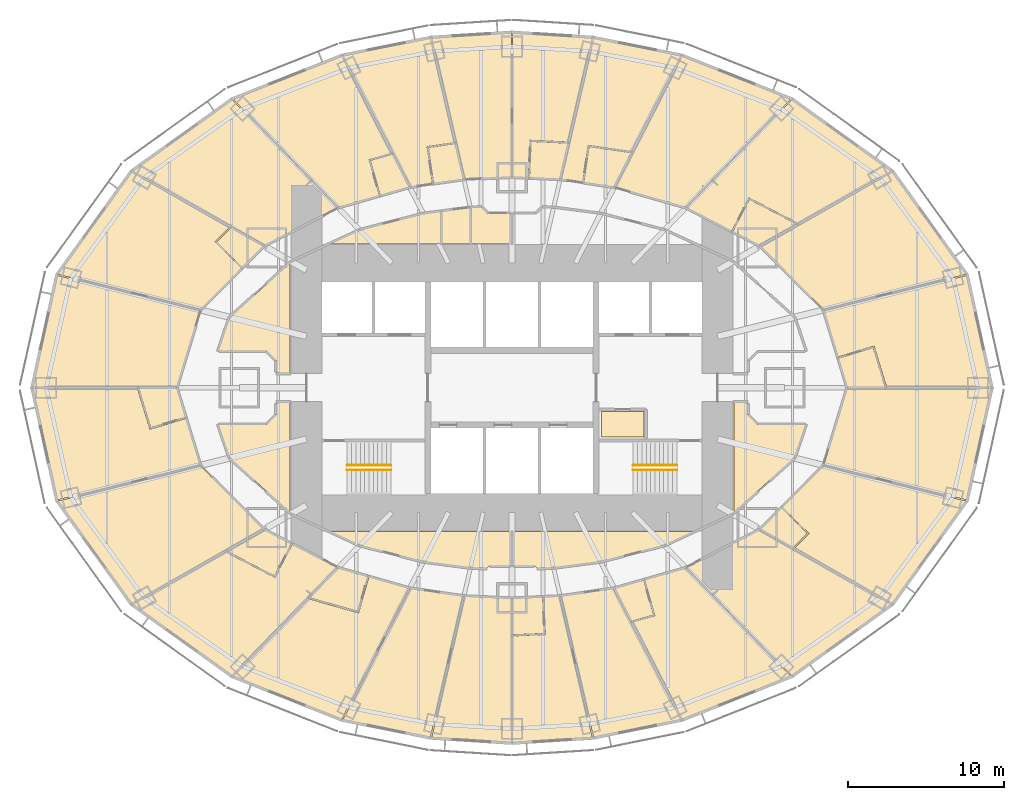
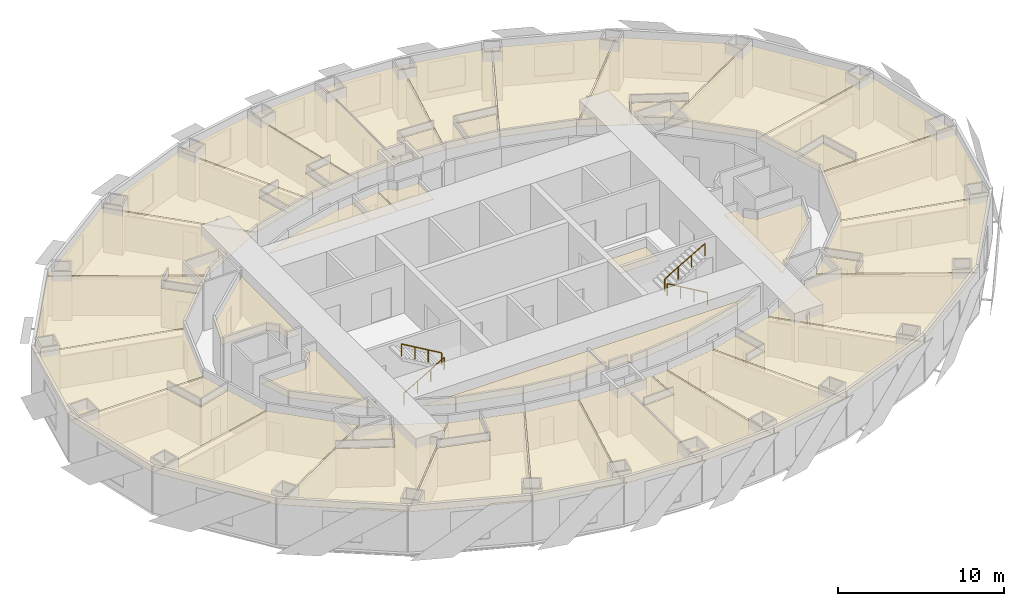
# One storey, part 15 of 15: 46 coverings, 4 railings.
"""IFC4 building model written with IfcOpenShell, lengths in metres."""

from ifc_helpers import new_model, si_unit, direction, frame, origin, origin_2d, place, context, subcontext, project, spatial, polyline, circle, outline, extrude, material, layer, layer_set, type_object, element, save


model = new_model("IFC4")

# Units and contexts
model_context = context("Model", 3, precision=1e-05, world=origin(), true_north=direction((0.0, 1.0)))
body_context = subcontext(model_context, "Body", "Model", "MODEL_VIEW")
ifc_project = project(units=[si_unit("LENGTHUNIT", "METRE"), si_unit("AREAUNIT", "SQUARE_METRE"), si_unit("VOLUMEUNIT", "CUBIC_METRE"), si_unit("PLANEANGLEUNIT", "RADIAN"), si_unit("MASSUNIT", "GRAM", prefix="KILO")], contexts=[model_context])

# Site, building, storey
site_placement = place(None, origin())
site = spatial("IfcSite", under=ifc_project, at=site_placement, CompositionType="ELEMENT")
building_placement = place(site_placement, origin())
building = spatial("IfcBuilding", under=site, at=building_placement, Name="Lantaw Convention Tower", CompositionType="ELEMENT")
storey_placement = place(building_placement, frame((0.0, 0.0, 47.800048828125)))
storey = spatial("IfcBuildingStorey", under=building, at=storey_placement, Name="L09", CompositionType="ELEMENT", Elevation=47.800048828125)

# Railings
ifc_material_1 = material(Name="Stainless steel", Category="steel")
railing_type = type_object("IfcRailingType", Name="Stair handrail", PredefinedType="HANDRAIL", material=ifc_material_1)
railing_1_placement = place(storey_placement, frame((-10.580078125, -5.280029296875, 0.16357421875)))
element("IfcRailing", 1, at=railing_1_placement, inside=storey, type_object=railing_type, Name="Stair handrail S1", PredefinedType="HANDRAIL", context=body_context, shape_type="SweptSolid", body=[
    extrude(circle(Radius=0.02392578125, at=origin_2d()), frame((0.0, 0.0, 0.8759765625), z_axis=(0.863360870873, 0.0, 0.504586966384), x_axis=(0.0, 1.0, 0.0)), (0.0, 0.0, 1.0), 3.2431640625),
    extrude(circle(Radius=0.02099609375, at=origin_2d()), origin(), (0.0, 0.0, 1.0), 0.851806640625),
    extrude(circle(Radius=0.02099609375, at=origin_2d()), frame((0.933349609375, 0.0, 0.54541015625)), (0.0, 0.0, 1.0), 0.851806640625),
    extrude(circle(Radius=0.02099609375, at=origin_2d()), frame((1.86669921875, 0.0, 1.091064453125)), (0.0, 0.0, 1.0), 0.851806640625),
    extrude(circle(Radius=0.02099609375, at=origin_2d()), frame((2.800048828125, 0.0, 1.636474609375)), (0.0, 0.0, 1.0), 0.851806640625),
])
railing_2_placement = place(storey_placement, frame((-7.780029296875, -4.97998046875, 1.963623046875)))
element("IfcRailing", 2, at=railing_2_placement, inside=storey, type_object=railing_type, Name="Stair handrail S1", PredefinedType="HANDRAIL", context=body_context, shape_type="SweptSolid", body=[
    extrude(circle(Radius=0.02392578125, at=origin_2d()), frame((0.0, 0.0, 0.8759765625), z_axis=(-0.863393664356, 0.0, 0.504530851732), x_axis=(0.0, -1.0, 0.0)), (0.0, 0.0, 1.0), 3.2431640625),
    extrude(circle(Radius=0.02099609375, at=origin_2d()), origin(), (0.0, 0.0, 1.0), 0.851806640625),
    extrude(circle(Radius=0.02099609375, at=origin_2d()), frame((-0.933349609375, 0.0, 0.54541015625)), (0.0, 0.0, 1.0), 0.851806640625),
    extrude(circle(Radius=0.02099609375, at=origin_2d()), frame((-1.86669921875, 0.0, 1.0908203125)), (0.0, 0.0, 1.0), 0.851806640625),
    extrude(circle(Radius=0.02099609375, at=origin_2d()), frame((-2.800048828125, 0.0, 1.63623046875)), (0.0, 0.0, 1.0), 0.851806640625),
])
railing_3_placement = place(storey_placement, frame((10.580078125, -5.280029296875, 0.16357421875)))
element("IfcRailing", 3, at=railing_3_placement, inside=storey, type_object=railing_type, Name="Stair handrail S2", PredefinedType="HANDRAIL", context=body_context, shape_type="SweptSolid", body=[
    extrude(circle(Radius=0.02392578125, at=origin_2d()), frame((0.0, 0.0, 0.8759765625), z_axis=(-0.863360870873, 0.0, 0.504586966384), x_axis=(0.0, -1.0, 0.0)), (0.0, 0.0, 1.0), 3.2431640625),
    extrude(circle(Radius=0.02099609375, at=origin_2d()), origin(), (0.0, 0.0, 1.0), 0.851806640625),
    extrude(circle(Radius=0.02099609375, at=origin_2d()), frame((-0.933349609375, 0.0, 0.54541015625)), (0.0, 0.0, 1.0), 0.851806640625),
    extrude(circle(Radius=0.02099609375, at=origin_2d()), frame((-1.86669921875, 0.0, 1.091064453125)), (0.0, 0.0, 1.0), 0.851806640625),
    extrude(circle(Radius=0.02099609375, at=origin_2d()), frame((-2.800048828125, 0.0, 1.636474609375)), (0.0, 0.0, 1.0), 0.851806640625),
])
railing_4_placement = place(storey_placement, frame((7.780029296875, -4.97998046875, 1.963623046875)))
element("IfcRailing", 4, at=railing_4_placement, inside=storey, type_object=railing_type, Name="Stair handrail S2", PredefinedType="HANDRAIL", context=body_context, shape_type="SweptSolid", body=[
    extrude(circle(Radius=0.02392578125, at=origin_2d()), frame((0.0, 0.0, 0.8759765625), z_axis=(0.863393664356, 0.0, 0.504530851732), x_axis=(0.0, 1.0, 0.0)), (0.0, 0.0, 1.0), 3.2431640625),
    extrude(circle(Radius=0.02099609375, at=origin_2d()), origin(), (0.0, 0.0, 1.0), 0.851806640625),
    extrude(circle(Radius=0.02099609375, at=origin_2d()), frame((0.933349609375, 0.0, 0.54541015625)), (0.0, 0.0, 1.0), 0.851806640625),
    extrude(circle(Radius=0.02099609375, at=origin_2d()), frame((1.86669921875, 0.0, 1.0908203125)), (0.0, 0.0, 1.0), 0.851806640625),
    extrude(circle(Radius=0.02099609375, at=origin_2d()), frame((2.800048828125, 0.0, 1.63623046875)), (0.0, 0.0, 1.0), 0.851806640625),
])

# Coverings
ifc_material_2 = material(Name="Gypsum board on steel suspension grid", Category="steel")
ifc_layer = layer(ifc_material_2, 0.02001953125)
ifc_layer_set = layer_set([ifc_layer], Name="Suspended ceiling")
covering_type = type_object("IfcCoveringType", Name="Suspended ceiling", PredefinedType="CEILING", material=ifc_layer_set)
covering_1_placement = place(storey_placement, frame((0.0, 0.0, 2.849853515625)))
element("IfcCovering", 5, at=covering_1_placement, inside=storey, type_object=covering_type, Name="Staff WC ceiling", PredefinedType="CEILING", context=body_context, shape_type="SweptSolid", body=[
    extrude(outline(polyline([(5.739990234375, -3.159912109375), (8.4599609375, -3.159912109375), (8.4599609375, -1.5400390625), (5.739990234375, -1.5400390625), (5.739990234375, -3.159912109375)])), origin(), (0.0, 0.0, 1.0), 0.02001953125),
])
covering_2_placement = place(storey_placement, frame((0.0, 0.0, 2.849853515625)))
element("IfcCovering", 6, at=covering_2_placement, inside=storey, type_object=covering_type, Name="Housekeeping room ceiling", PredefinedType="CEILING", context=body_context, shape_type="SweptSolid", body=[
    extrude(outline(polyline([(-14.239990234375, 0.93994140625), (-14.239990234375, 8.0185546875), (-18.129638671875, 4.506103515625), (-18.855712890625, 2.364990234375), (-15.7587890625, 2.364990234375), (-15.135009765625, 1.7412109375), (-15.135009765625, 0.93994140625), (-14.239990234375, 0.93994140625)])), origin(), (0.0, 0.0, 1.0), 0.02001953125),
])
covering_3_placement = place(storey_placement, frame((0.0, 0.0, 2.849853515625)))
element("IfcCovering", 7, at=covering_3_placement, inside=storey, type_object=covering_type, Name="Accessible WC ceiling", PredefinedType="CEILING", context=body_context, shape_type="SweptSolid", body=[
    extrude(outline(polyline([(-0.114990234375, 9.239990234375), (-0.114990234375, 11.175048828125), (-1.548828125, 11.175048828125), (-1.95458984375, 11.580810546875), (-2.610107421875, 11.55419921875), (-2.610107421875, 9.239990234375), (-0.114990234375, 9.239990234375)])), origin(), (0.0, 0.0, 1.0), 0.02001953125),
])
covering_4_placement = place(storey_placement, frame((0.0, 0.0, 2.849853515625)))
element("IfcCovering", 8, at=covering_4_placement, inside=storey, type_object=covering_type, Name="Staff WC ceiling", PredefinedType="CEILING", context=body_context, shape_type="SweptSolid", body=[
    extrude(outline(polyline([(-2.68994140625, 11.54931640625), (-4.510009765625, 11.313232421875), (-4.510009765625, 9.239990234375), (-2.68994140625, 9.239990234375), (-2.68994140625, 11.54931640625)])), origin(), (0.0, 0.0, 1.0), 0.02001953125),
])
covering_5_placement = place(storey_placement, frame((0.0, 0.0, 2.849853515625)))
element("IfcCovering", 9, at=covering_5_placement, inside=storey, type_object=covering_type, Name="Housekeeping room ceiling", PredefinedType="CEILING", context=body_context, shape_type="SweptSolid", body=[
    extrude(outline(polyline([(-11.66748046875, 9.239990234375), (-4.60009765625, 9.239990234375), (-4.60009765625, 11.301513671875), (-5.6982421875, 11.1591796875), (-9.78759765625, 10.111328125), (-11.66748046875, 9.239990234375)])), origin(), (0.0, 0.0, 1.0), 0.02001953125),
])
covering_6_placement = place(storey_placement, frame((0.0, 0.0, 2.849853515625)))
element("IfcCovering", 10, at=covering_6_placement, inside=storey, type_object=covering_type, Name="Staff room ceiling", PredefinedType="CEILING", context=body_context, shape_type="SweptSolid", body=[
    extrude(outline(polyline([(-14.239990234375, -8.0185546875), (-14.239990234375, -0.93994140625), (-15.135009765625, -0.93994140625), (-15.135009765625, -1.7412109375), (-15.7587890625, -2.364990234375), (-18.855712890625, -2.364990234375), (-18.129638671875, -4.506103515625), (-14.239990234375, -8.0185546875)])), origin(), (0.0, 0.0, 1.0), 0.02001953125),
])
covering_7_placement = place(storey_placement, frame((0.0, 0.0, 2.849853515625)))
element("IfcCovering", 11, at=covering_7_placement, inside=storey, type_object=covering_type, Name="Staff room ceiling", PredefinedType="CEILING", context=body_context, shape_type="SweptSolid", body=[
    extrude(outline(polyline([(-5.6982421875, -11.1591796875), (-2.672607421875, -11.5517578125), (-1.601318359375, -11.594970703125), (-1.441162109375, -11.43505859375), (-0.0400390625, -11.43505859375), (-0.0400390625, -9.239990234375), (-11.66748046875, -9.239990234375), (-9.78759765625, -10.111328125), (-5.6982421875, -11.1591796875)])), origin(), (0.0, 0.0, 1.0), 0.02001953125),
])
covering_8_placement = place(storey_placement, frame((0.0, 0.0, 2.849853515625)))
element("IfcCovering", 12, at=covering_8_placement, inside=storey, type_object=covering_type, Name="Room service pantry ceiling", PredefinedType="CEILING", context=body_context, shape_type="SweptSolid", body=[
    extrude(outline(polyline([(14.239990234375, -0.93994140625), (14.239990234375, -8.0185546875), (18.129638671875, -4.506103515625), (18.855712890625, -2.364990234375), (15.7587890625, -2.364990234375), (15.135009765625, -1.7412109375), (15.135009765625, -0.93994140625), (14.239990234375, -0.93994140625)])), origin(), (0.0, 0.0, 1.0), 0.02001953125),
])
covering_9_placement = place(storey_placement, frame((0.0, 0.0, 2.849853515625)))
element("IfcCovering", 13, at=covering_9_placement, inside=storey, type_object=covering_type, Name="Room service pantry ceiling", PredefinedType="CEILING", context=body_context, shape_type="SweptSolid", body=[
    extrude(outline(polyline([(1.601318359375, -11.594970703125), (2.672607421875, -11.5517578125), (5.6982421875, -11.1591796875), (9.78759765625, -10.111328125), (11.66748046875, -9.239990234375), (0.0400390625, -9.239990234375), (0.0400390625, -11.43505859375), (1.441162109375, -11.43505859375), (1.601318359375, -11.594970703125)])), origin(), (0.0, 0.0, 1.0), 0.02001953125),
])
covering_10_placement = place(storey_placement, frame((0.0, 0.0, 2.849853515625)))
element("IfcCovering", 14, at=covering_10_placement, inside=storey, type_object=covering_type, Name="Suite bathroom ceiling", PredefinedType="CEILING", context=body_context, shape_type="SweptSolid", body=[
    extrude(outline(polyline([(21.529541015625, 0.0400390625), (23.954833984375, 0.0400390625), (23.1865234375, 2.562744140625), (20.967041015625, 1.886474609375), (21.529541015625, 0.0400390625)])), origin(), (0.0, 0.0, 1.0), 0.02001953125),
])
covering_11_placement = place(storey_placement, frame((0.0, 0.0, 2.849853515625)))
element("IfcCovering", 15, at=covering_11_placement, inside=storey, type_object=covering_type, Name="Suite bedroom ceiling", PredefinedType="CEILING", context=body_context, shape_type="SweptSolid", body=[
    extrude(outline(polyline([(29.191650390625, 7.205078125), (20.032958984375, 4.953369140625), (20.940185546875, 1.974609375), (23.24755859375, 2.677490234375), (24.051025390625, 0.0400390625), (30.77099609375, 0.0400390625), (29.191650390625, 7.205078125)])), origin(), (0.0, 0.0, 1.0), 0.02001953125),
])
covering_12_placement = place(storey_placement, frame((0.0, 0.0, 2.849853515625)))
element("IfcCovering", 16, at=covering_12_placement, inside=storey, type_object=covering_type, Name="Suite living room ceiling", PredefinedType="CEILING", context=body_context, shape_type="SweptSolid", body=[
    extrude(outline(polyline([(19.99462890625, 5.0263671875), (29.155029296875, 7.2783203125), (24.423095703125, 13.856201171875), (15.966552734375, 9.077392578125), (19.99462890625, 5.0263671875)])), origin(), (0.0, 0.0, 1.0), 0.02001953125),
])
covering_13_placement = place(storey_placement, frame((0.0, 0.0, 2.849853515625)))
element("IfcCovering", 17, at=covering_13_placement, inside=storey, type_object=covering_type, Name="Suite bathroom ceiling", PredefinedType="CEILING", context=body_context, shape_type="SweptSolid", body=[
    extrude(outline(polyline([(15.900146484375, 9.1318359375), (18.2998046875, 10.503173828125), (15.24365234375, 12.082763671875), (14.17822265625, 10.02197265625), (15.900146484375, 9.1318359375)])), origin(), (0.0, 0.0, 1.0), 0.02001953125),
])
covering_14_placement = place(storey_placement, frame((0.0, 0.0, 2.849853515625)))
element("IfcCovering", 18, at=covering_14_placement, inside=storey, type_object=covering_type, Name="Suite bedroom ceiling", PredefinedType="CEILING", context=body_context, shape_type="SweptSolid", body=[
    extrude(outline(polyline([(11.2138671875, 11.554443359375), (14.107177734375, 10.05859375), (15.20947265625, 12.190673828125), (18.39697265625, 10.542724609375), (24.3603515625, 13.912841796875), (17.97509765625, 18.4892578125), (11.2138671875, 11.554443359375)])), origin(), (0.0, 0.0, 1.0), 0.02001953125),
])
covering_15_placement = place(storey_placement, frame((0.0, 0.0, 2.849853515625)))
element("IfcCovering", 19, at=covering_15_placement, inside=storey, type_object=covering_type, Name="Suite living room ceiling", PredefinedType="CEILING", context=body_context, shape_type="SweptSolid", body=[
    extrude(outline(polyline([(11.135498046875, 11.588623046875), (17.89990234375, 18.526611328125), (10.930908203125, 21.294921875), (6.609375, 12.883056640625), (11.135498046875, 11.588623046875)])), origin(), (0.0, 0.0, 1.0), 0.02001953125),
])
covering_16_placement = place(storey_placement, frame((0.0, 0.0, 2.849853515625)))
element("IfcCovering", 20, at=covering_16_placement, inside=storey, type_object=covering_type, Name="Guest bathroom ceiling", PredefinedType="CEILING", context=body_context, shape_type="SweptSolid", body=[
    extrude(outline(polyline([(6.52880859375, 12.901611328125), (7.64111328125, 15.084716796875), (4.9501953125, 15.474609375), (4.617431640625, 13.1787109375), (6.52880859375, 12.901611328125)])), origin(), (0.0, 0.0, 1.0), 0.02001953125),
])
covering_17_placement = place(storey_placement, frame((0.0, 0.0, 2.849853515625)))
element("IfcCovering", 21, at=covering_17_placement, inside=storey, type_object=covering_type, Name="Guest room ceiling", PredefinedType="CEILING", context=body_context, shape_type="SweptSolid", body=[
    extrude(outline(polyline([(3.13330078125, 13.393798828125), (4.538330078125, 13.190185546875), (4.882568359375, 15.565185546875), (7.6884765625, 15.15869140625), (10.852294921875, 21.31689453125), (5.240966796875, 22.448974609375), (3.13330078125, 13.393798828125)])), origin(), (0.0, 0.0, 1.0), 0.02001953125),
])
covering_18_placement = place(storey_placement, frame((0.0, 0.0, 2.849853515625)))
element("IfcCovering", 22, at=covering_18_placement, inside=storey, type_object=covering_type, Name="Suite bathroom ceiling", PredefinedType="CEILING", context=body_context, shape_type="SweptSolid", body=[
    extrude(outline(polyline([(3.052978515625, 13.40185546875), (3.58349609375, 15.7001953125), (1.233154296875, 15.806640625), (1.128173828125, 13.489013671875), (3.052978515625, 13.40185546875)])), origin(), (0.0, 0.0, 1.0), 0.02001953125),
])
covering_19_placement = place(storey_placement, frame((0.0, 0.0, 2.849853515625)))
element("IfcCovering", 23, at=covering_19_placement, inside=storey, type_object=covering_type, Name="Suite bedroom ceiling", PredefinedType="CEILING", context=body_context, shape_type="SweptSolid", body=[
    extrude(outline(polyline([(0.0400390625, 13.538330078125), (1.04833984375, 13.49267578125), (1.156982421875, 15.89013671875), (3.6064453125, 15.779296875), (5.1611328125, 22.458984375), (0.0400390625, 22.781982421875), (0.0400390625, 13.538330078125)])), origin(), (0.0, 0.0, 1.0), 0.02001953125),
])
covering_20_placement = place(storey_placement, frame((0.0, 0.0, 2.849853515625)))
element("IfcCovering", 24, at=covering_20_placement, inside=storey, type_object=covering_type, Name="Suite living room ceiling", PredefinedType="CEILING", context=body_context, shape_type="SweptSolid", body=[
    extrude(outline(polyline([(-0.0400390625, 13.538330078125), (-0.0400390625, 22.781982421875), (-5.1611328125, 22.458984375), (-3.052978515625, 13.40185546875), (-0.0400390625, 13.538330078125)])), origin(), (0.0, 0.0, 1.0), 0.02001953125),
])
covering_21_placement = place(storey_placement, frame((0.0, 0.0, 2.849853515625)))
element("IfcCovering", 25, at=covering_21_placement, inside=storey, type_object=covering_type, Name="Guest bathroom ceiling", PredefinedType="CEILING", context=body_context, shape_type="SweptSolid", body=[
    extrude(outline(polyline([(-3.13330078125, 13.393798828125), (-3.656982421875, 15.662109375), (-5.362548828125, 15.414794921875), (-5.030029296875, 13.118896484375), (-3.13330078125, 13.393798828125)])), origin(), (0.0, 0.0, 1.0), 0.02001953125),
])
covering_22_placement = place(storey_placement, frame((0.0, 0.0, 2.849853515625)))
element("IfcCovering", 26, at=covering_22_placement, inside=storey, type_object=covering_type, Name="Guest room ceiling", PredefinedType="CEILING", context=body_context, shape_type="SweptSolid", body=[
    extrude(outline(polyline([(-6.529052734375, 12.901611328125), (-5.109130859375, 13.107421875), (-5.453369140625, 15.482666015625), (-3.679443359375, 15.73974609375), (-5.240966796875, 22.448974609375), (-10.852294921875, 21.31689453125), (-6.529052734375, 12.901611328125)])), origin(), (0.0, 0.0, 1.0), 0.02001953125),
])
covering_23_placement = place(storey_placement, frame((0.0, 0.0, 2.849853515625)))
element("IfcCovering", 27, at=covering_23_placement, inside=storey, type_object=covering_type, Name="Suite bathroom ceiling", PredefinedType="CEILING", context=body_context, shape_type="SweptSolid", body=[
    extrude(outline(polyline([(-6.609130859375, 12.883056640625), (-7.682373046875, 14.9892578125), (-9.084716796875, 14.588134765625), (-8.447021484375, 12.357421875), (-6.609130859375, 12.883056640625)])), origin(), (0.0, 0.0, 1.0), 0.02001953125),
])
covering_24_placement = place(storey_placement, frame((0.0, 0.0, 2.849853515625)))
element("IfcCovering", 28, at=covering_24_placement, inside=storey, type_object=covering_type, Name="Suite bedroom ceiling", PredefinedType="CEILING", context=body_context, shape_type="SweptSolid", body=[
    extrude(outline(polyline([(-11.135498046875, 11.588623046875), (-8.52392578125, 12.33544921875), (-9.18359375, 14.64306640625), (-7.7275390625, 15.0595703125), (-10.930908203125, 21.294921875), (-17.89990234375, 18.526611328125), (-11.135498046875, 11.588623046875)])), origin(), (0.0, 0.0, 1.0), 0.02001953125),
])
covering_25_placement = place(storey_placement, frame((0.0, 0.0, 2.849853515625)))
element("IfcCovering", 29, at=covering_25_placement, inside=storey, type_object=covering_type, Name="Suite living room ceiling", PredefinedType="CEILING", context=body_context, shape_type="SweptSolid", body=[
    extrude(outline(polyline([(-11.2138671875, 11.554443359375), (-17.97509765625, 18.4892578125), (-24.3603515625, 13.912841796875), (-15.900146484375, 9.1318359375), (-11.2138671875, 11.554443359375)])), origin(), (0.0, 0.0, 1.0), 0.02001953125),
])
covering_26_placement = place(storey_placement, frame((0.0, 0.0, 2.849853515625)))
element("IfcCovering", 30, at=covering_26_placement, inside=storey, type_object=covering_type, Name="Suite bathroom ceiling", PredefinedType="CEILING", context=body_context, shape_type="SweptSolid", body=[
    extrude(outline(polyline([(-15.96630859375, 9.07763671875), (-18.052490234375, 10.269775390625), (-18.95654296875, 9.360595703125), (-17.3115234375, 7.724853515625), (-15.96630859375, 9.07763671875)])), origin(), (0.0, 0.0, 1.0), 0.02001953125),
])
covering_27_placement = place(storey_placement, frame((0.0, 0.0, 2.849853515625)))
element("IfcCovering", 31, at=covering_27_placement, inside=storey, type_object=covering_type, Name="Suite bedroom ceiling", PredefinedType="CEILING", context=body_context, shape_type="SweptSolid", body=[
    extrude(outline(polyline([(-19.99462890625, 5.0263671875), (-17.367919921875, 7.66796875), (-19.06982421875, 9.3603515625), (-18.13330078125, 10.302001953125), (-24.423095703125, 13.856201171875), (-29.155029296875, 7.2783203125), (-19.99462890625, 5.0263671875)])), origin(), (0.0, 0.0, 1.0), 0.02001953125),
])
covering_28_placement = place(storey_placement, frame((0.0, 0.0, 2.849853515625)))
element("IfcCovering", 32, at=covering_28_placement, inside=storey, type_object=covering_type, Name="Suite living room ceiling", PredefinedType="CEILING", context=body_context, shape_type="SweptSolid", body=[
    extrude(outline(polyline([(-20.032958984375, 4.953369140625), (-29.191650390625, 7.205078125), (-30.77099609375, 0.0400390625), (-21.529541015625, 0.0400390625), (-20.032958984375, 4.953369140625)])), origin(), (0.0, 0.0, 1.0), 0.02001953125),
])
covering_29_placement = place(storey_placement, frame((0.0, 0.0, 2.849853515625)))
element("IfcCovering", 33, at=covering_29_placement, inside=storey, type_object=covering_type, Name="Suite bathroom ceiling", PredefinedType="CEILING", context=body_context, shape_type="SweptSolid", body=[
    extrude(outline(polyline([(-21.529541015625, -0.0400390625), (-23.954833984375, -0.0400390625), (-23.1865234375, -2.562744140625), (-20.967041015625, -1.886474609375), (-21.529541015625, -0.0400390625)])), origin(), (0.0, 0.0, 1.0), 0.02001953125),
])
covering_30_placement = place(storey_placement, frame((0.0, 0.0, 2.849853515625)))
element("IfcCovering", 34, at=covering_30_placement, inside=storey, type_object=covering_type, Name="Suite bedroom ceiling", PredefinedType="CEILING", context=body_context, shape_type="SweptSolid", body=[
    extrude(outline(polyline([(-20.032958984375, -4.953369140625), (-20.940185546875, -1.974609375), (-23.24755859375, -2.677490234375), (-24.051025390625, -0.0400390625), (-30.77099609375, -0.0400390625), (-29.191650390625, -7.205078125), (-20.032958984375, -4.953369140625)])), origin(), (0.0, 0.0, 1.0), 0.02001953125),
])
covering_31_placement = place(storey_placement, frame((0.0, 0.0, 2.849853515625)))
element("IfcCovering", 35, at=covering_31_placement, inside=storey, type_object=covering_type, Name="Suite living room ceiling", PredefinedType="CEILING", context=body_context, shape_type="SweptSolid", body=[
    extrude(outline(polyline([(-19.99462890625, -5.0263671875), (-29.155029296875, -7.2783203125), (-24.423095703125, -13.856201171875), (-15.966552734375, -9.077392578125), (-19.99462890625, -5.0263671875)])), origin(), (0.0, 0.0, 1.0), 0.02001953125),
])
covering_32_placement = place(storey_placement, frame((0.0, 0.0, 2.849853515625)))
element("IfcCovering", 36, at=covering_32_placement, inside=storey, type_object=covering_type, Name="Guest bathroom ceiling", PredefinedType="CEILING", context=body_context, shape_type="SweptSolid", body=[
    extrude(outline(polyline([(-15.900146484375, -9.1318359375), (-18.2998046875, -10.503173828125), (-15.24365234375, -12.082763671875), (-14.17822265625, -10.02197265625), (-15.900146484375, -9.1318359375)])), origin(), (0.0, 0.0, 1.0), 0.02001953125),
])
covering_33_placement = place(storey_placement, frame((0.0, 0.0, 2.849853515625)))
element("IfcCovering", 37, at=covering_33_placement, inside=storey, type_object=covering_type, Name="Guest room ceiling", PredefinedType="CEILING", context=body_context, shape_type="SweptSolid", body=[
    extrude(outline(polyline([(-18.39697265625, -10.542724609375), (-24.3603515625, -13.912841796875), (-17.97509765625, -18.4892578125), (-11.2138671875, -11.554443359375), (-14.107177734375, -10.05859375), (-15.20947265625, -12.190673828125), (-18.39697265625, -10.542724609375)])), origin(), (0.0, 0.0, 1.0), 0.02001953125),
])
covering_34_placement = place(storey_placement, frame((0.0, 0.0, 2.849853515625)))
element("IfcCovering", 38, at=covering_34_placement, inside=storey, type_object=covering_type, Name="Suite bathroom ceiling", PredefinedType="CEILING", context=body_context, shape_type="SweptSolid", body=[
    extrude(outline(polyline([(-11.135498046875, -11.588623046875), (-12.96142578125, -13.4794921875), (-9.911865234375, -14.3515625), (-9.274169921875, -12.12109375), (-11.135498046875, -11.588623046875)])), origin(), (0.0, 0.0, 1.0), 0.02001953125),
])
covering_35_placement = place(storey_placement, frame((0.0, 0.0, 2.849853515625)))
element("IfcCovering", 39, at=covering_35_placement, inside=storey, type_object=covering_type, Name="Suite bedroom ceiling", PredefinedType="CEILING", context=body_context, shape_type="SweptSolid", body=[
    extrude(outline(polyline([(-13.048095703125, -13.55029296875), (-17.89990234375, -18.526611328125), (-10.930908203125, -21.294921875), (-6.609375, -12.883056640625), (-9.185546875, -12.146240234375), (-9.848876953125, -14.46533203125), (-13.048095703125, -13.55029296875)])), origin(), (0.0, 0.0, 1.0), 0.02001953125),
])
covering_36_placement = place(storey_placement, frame((0.0, 0.0, 2.849853515625)))
element("IfcCovering", 40, at=covering_36_placement, inside=storey, type_object=covering_type, Name="Suite living room ceiling", PredefinedType="CEILING", context=body_context, shape_type="SweptSolid", body=[
    extrude(outline(polyline([(-6.529052734375, -12.901611328125), (-10.852294921875, -21.31689453125), (-5.240966796875, -22.448974609375), (-3.13330078125, -13.393798828125), (-6.529052734375, -12.901611328125)])), origin(), (0.0, 0.0, 1.0), 0.02001953125),
])
covering_37_placement = place(storey_placement, frame((0.0, 0.0, 2.849853515625)))
element("IfcCovering", 41, at=covering_37_placement, inside=storey, type_object=covering_type, Name="Suite kitchenette and dining room ceiling", PredefinedType="CEILING", context=body_context, shape_type="SweptSolid", body=[
    extrude(outline(polyline([(-3.052978515625, -13.40185546875), (-5.1611328125, -22.458984375), (-0.0400390625, -22.781982421875), (-0.0400390625, -13.538330078125), (-3.052978515625, -13.40185546875)])), origin(), (0.0, 0.0, 1.0), 0.02001953125),
])
covering_38_placement = place(storey_placement, frame((0.0, 0.0, 2.849853515625)))
element("IfcCovering", 42, at=covering_38_placement, inside=storey, type_object=covering_type, Name="Suite bathroom ceiling", PredefinedType="CEILING", context=body_context, shape_type="SweptSolid", body=[
    extrude(outline(polyline([(0.0400390625, -13.538330078125), (0.0400390625, -15.860595703125), (2.064697265625, -15.76904296875), (1.959716796875, -13.451416015625), (0.0400390625, -13.538330078125)])), origin(), (0.0, 0.0, 1.0), 0.02001953125),
])
covering_39_placement = place(storey_placement, frame((0.0, 0.0, 2.849853515625)))
element("IfcCovering", 43, at=covering_39_placement, inside=storey, type_object=covering_type, Name="Suite bedroom ceiling", PredefinedType="CEILING", context=body_context, shape_type="SweptSolid", body=[
    extrude(outline(polyline([(2.039794921875, -13.44775390625), (2.148193359375, -15.84521484375), (0.0400390625, -15.940673828125), (0.0400390625, -22.781982421875), (5.1611328125, -22.458984375), (3.052978515625, -13.40185546875), (2.039794921875, -13.44775390625)])), origin(), (0.0, 0.0, 1.0), 0.02001953125),
])
covering_40_placement = place(storey_placement, frame((0.0, 0.0, 2.849853515625)))
element("IfcCovering", 44, at=covering_40_placement, inside=storey, type_object=covering_type, Name="Suite living room ceiling", PredefinedType="CEILING", context=body_context, shape_type="SweptSolid", body=[
    extrude(outline(polyline([(3.13330078125, -13.393798828125), (5.240966796875, -22.448974609375), (10.852294921875, -21.31689453125), (6.529052734375, -12.901611328125), (3.13330078125, -13.393798828125)])), origin(), (0.0, 0.0, 1.0), 0.02001953125),
])
covering_41_placement = place(storey_placement, frame((0.0, 0.0, 2.849853515625)))
element("IfcCovering", 45, at=covering_41_placement, inside=storey, type_object=covering_type, Name="Suite bathroom ceiling", PredefinedType="CEILING", context=body_context, shape_type="SweptSolid", body=[
    extrude(outline(polyline([(6.609130859375, -12.883056640625), (7.682373046875, -14.9892578125), (9.084716796875, -14.588134765625), (8.447021484375, -12.357421875), (6.609130859375, -12.883056640625)])), origin(), (0.0, 0.0, 1.0), 0.02001953125),
])
covering_42_placement = place(storey_placement, frame((0.0, 0.0, 2.849853515625)))
element("IfcCovering", 46, at=covering_42_placement, inside=storey, type_object=covering_type, Name="Suite bedroom ceiling", PredefinedType="CEILING", context=body_context, shape_type="SweptSolid", body=[
    extrude(outline(polyline([(11.135498046875, -11.588623046875), (8.52392578125, -12.33544921875), (9.18359375, -14.64306640625), (7.7275390625, -15.0595703125), (10.930908203125, -21.294921875), (17.89990234375, -18.526611328125), (11.135498046875, -11.588623046875)])), origin(), (0.0, 0.0, 1.0), 0.02001953125),
])
covering_43_placement = place(storey_placement, frame((0.0, 0.0, 2.849853515625)))
element("IfcCovering", 47, at=covering_43_placement, inside=storey, type_object=covering_type, Name="Suite living room ceiling", PredefinedType="CEILING", context=body_context, shape_type="SweptSolid", body=[
    extrude(outline(polyline([(11.2138671875, -11.554443359375), (17.97509765625, -18.4892578125), (24.3603515625, -13.912841796875), (15.900146484375, -9.1318359375), (11.2138671875, -11.554443359375)])), origin(), (0.0, 0.0, 1.0), 0.02001953125),
])
covering_44_placement = place(storey_placement, frame((0.0, 0.0, 2.849853515625)))
element("IfcCovering", 48, at=covering_44_placement, inside=storey, type_object=covering_type, Name="Suite bathroom ceiling", PredefinedType="CEILING", context=body_context, shape_type="SweptSolid", body=[
    extrude(outline(polyline([(15.96630859375, -9.07763671875), (18.052490234375, -10.269775390625), (18.95654296875, -9.360595703125), (17.3115234375, -7.724853515625), (15.96630859375, -9.07763671875)])), origin(), (0.0, 0.0, 1.0), 0.02001953125),
])
covering_45_placement = place(storey_placement, frame((0.0, 0.0, 2.849853515625)))
element("IfcCovering", 49, at=covering_45_placement, inside=storey, type_object=covering_type, Name="Suite bedroom ceiling", PredefinedType="CEILING", context=body_context, shape_type="SweptSolid", body=[
    extrude(outline(polyline([(17.367919921875, -7.66796875), (19.06982421875, -9.3603515625), (18.13330078125, -10.302001953125), (24.423095703125, -13.856201171875), (29.155029296875, -7.2783203125), (19.99462890625, -5.0263671875), (17.367919921875, -7.66796875)])), origin(), (0.0, 0.0, 1.0), 0.02001953125),
])
covering_46_placement = place(storey_placement, frame((0.0, 0.0, 2.849853515625)))
element("IfcCovering", 50, at=covering_46_placement, inside=storey, type_object=covering_type, Name="Suite living room ceiling", PredefinedType="CEILING", context=body_context, shape_type="SweptSolid", body=[
    extrude(outline(polyline([(20.032958984375, -4.953369140625), (29.191650390625, -7.205078125), (30.77099609375, -0.0400390625), (21.529541015625, -0.0400390625), (20.032958984375, -4.953369140625)])), origin(), (0.0, 0.0, 1.0), 0.02001953125),
])

save(model, "model.ifc")
